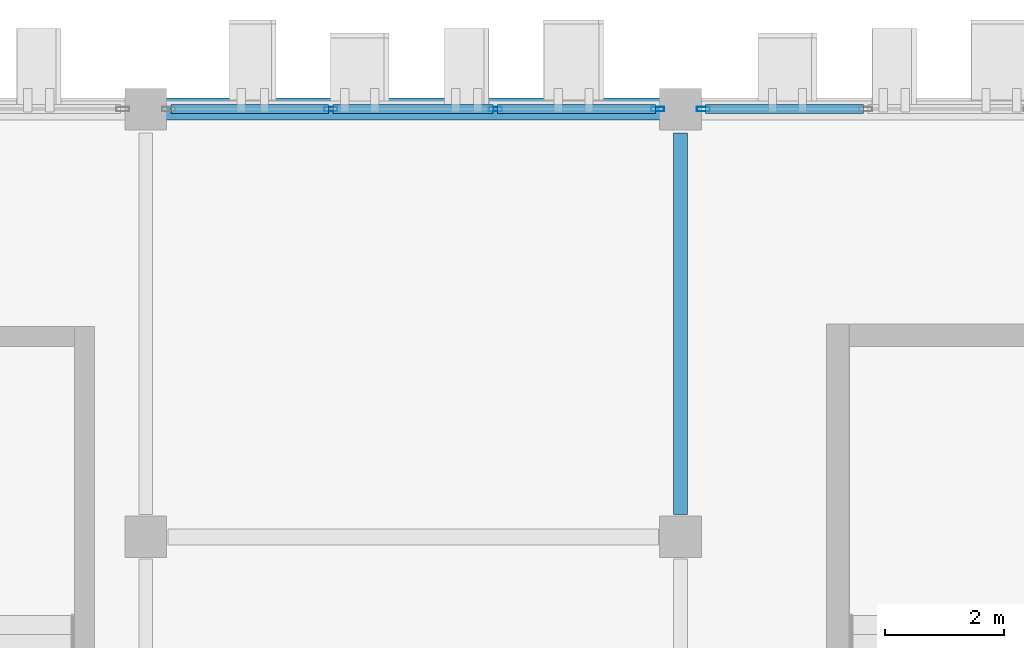
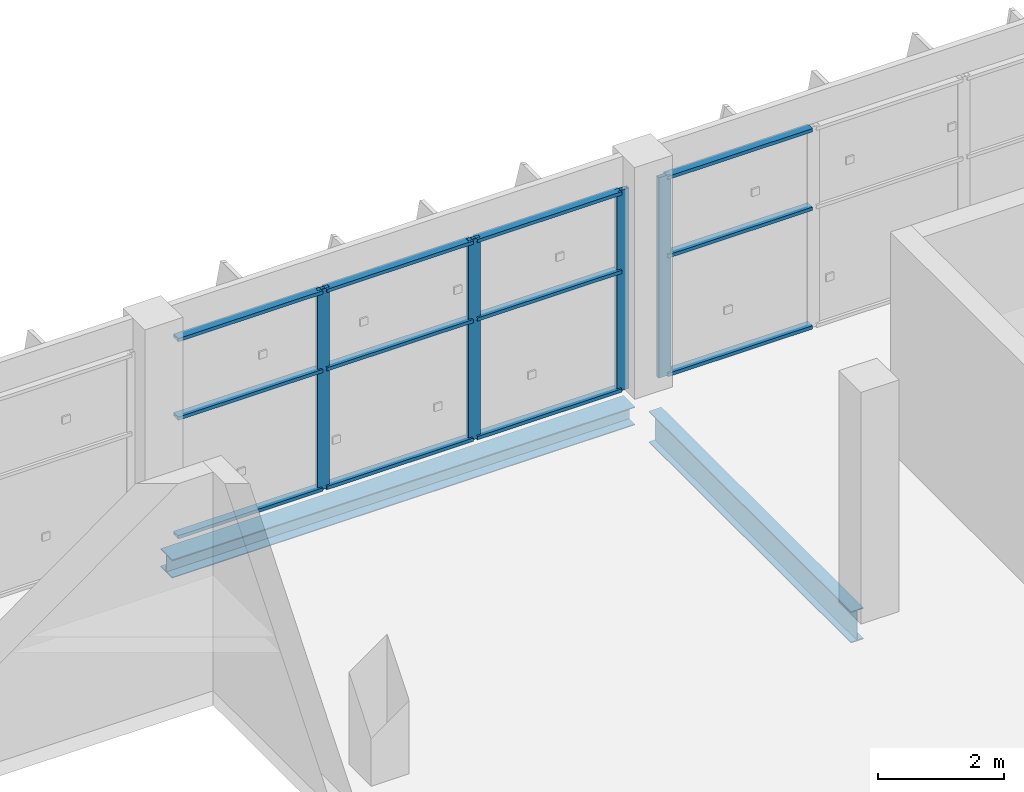
# One storey, part 77 of 151: 16 members, 2 beams, 2 elements without a shape of their own.
"""IFC4 building model written with IfcOpenShell, lengths in metres."""

from ifc_helpers import new_model, si_unit, direction, frame, origin, origin_2d, place, context, subcontext, project, spatial, hollow_rectangle, i_section, extrude, material, layer, layer_set, material_profile, profile_set, type_object, element, aggregate, save


model = new_model("IFC4")

# Units and contexts
model_context = context("Model", 3, precision=1e-05, world=origin(), true_north=direction((0.0, 1.0)))
body_context = subcontext(model_context, "Body", "Model", "MODEL_VIEW")
ifc_project = project(units=[si_unit("LENGTHUNIT", "METRE"), si_unit("AREAUNIT", "SQUARE_METRE"), si_unit("VOLUMEUNIT", "CUBIC_METRE"), si_unit("PLANEANGLEUNIT", "RADIAN"), si_unit("MASSUNIT", "GRAM", prefix="KILO")], contexts=[model_context])

# Site, building, storey
site_placement = place(None, origin())
site = spatial("IfcSite", under=ifc_project, at=site_placement, CompositionType="ELEMENT")
building_placement = place(site_placement, origin())
building = spatial("IfcBuilding", under=site, at=building_placement, Name="Celestram Park Convention Centre", CompositionType="ELEMENT")
storey_placement = place(building_placement, frame((0.0, 0.0, 10.800048828125)))
storey = spatial("IfcBuildingStorey", under=building, at=storey_placement, Name="L02", CompositionType="ELEMENT", Elevation=10.800048828125)

# Curtain wall, members
ifc_material_1 = material(Name="Anodised Aluminium Alloy 6063-T6", Category="aluminium")
ifc_layer = layer(ifc_material_1, 0.179931640625)
ifc_layer_set = layer_set([ifc_layer], Name="Anodised Aluminium Alloy 6063-T6")
curtain_wall_type = type_object("IfcCurtainWallType", Name="ARC-CW-830X389", PredefinedType="NOTDEFINED", material=ifc_layer_set)
curtain_wall_1_placement = place(storey_placement, origin())
curtain_wall_1 = element("IfcCurtainWall", 1, at=curtain_wall_1_placement, inside=storey, type_object=curtain_wall_type, Name="Unitised curtain wall CU-L02-159", PredefinedType="NOTDEFINED")
ifc_material_profile_1 = material_profile(ifc_material_1, hollow_rectangle(XDim=0.074951171875, YDim=0.219970703125, WallThickness=0.00390625, at=origin_2d()), Name="ALU75X220X4")
ifc_profile_set_1 = profile_set([ifc_material_profile_1], Name="Anodised Aluminium Alloy 6063-T6")
member_type_1 = type_object("IfcMemberType", Name="ARC-CWM-180", PredefinedType="MULLION", material=ifc_profile_set_1)
member_1_placement = place(storey_placement, frame((120.115966796875, 165.60009765625, 0.0), z_axis=(0.0, 0.0, 1.0), x_axis=(0.0, 1.0, 0.0)))
member_1 = element("IfcMember", 2, at=member_1_placement, type_object=member_type_1, Name="CW-83X38 mullion 2", PredefinedType="MULLION", context=body_context, shape_type="SweptSolid", body=[
    extrude(hollow_rectangle(XDim=0.074951171875, YDim=0.219970703125, WallThickness=0.00390625, at=origin_2d()), origin(), (0.0, 0.0, 1.0), 3.89404296875),
])
member_2_placement = place(storey_placement, frame((122.884033203125, 165.60009765625, 0.0), z_axis=(0.0, 0.0, 1.0), x_axis=(0.0, 1.0, 0.0)))
member_2 = element("IfcMember", 3, at=member_2_placement, type_object=member_type_1, Name="CW-83X38 mullion 3", PredefinedType="MULLION", context=body_context, shape_type="SweptSolid", body=[
    extrude(hollow_rectangle(XDim=0.074951171875, YDim=0.219970703125, WallThickness=0.00390625, at=origin_2d()), origin(), (0.0, 0.0, 1.0), 3.89404296875),
])
member_3_placement = place(storey_placement, frame((125.614501953125, 165.60009765625, 0.0), z_axis=(0.0, 0.0, 1.0), x_axis=(0.0, 1.0, 0.0)))
member_3 = element("IfcMember", 4, at=member_3_placement, type_object=member_type_1, Name="CW-83X38 mullion 4", PredefinedType="MULLION", context=body_context, shape_type="SweptSolid", body=[
    extrude(hollow_rectangle(XDim=0.074951171875, YDim=0.219970703125, WallThickness=0.00390625, at=origin_2d()), origin(), (0.0, 0.0, 1.0), 3.89404296875),
])

# Curtain wall, member
curtain_wall_2_placement = place(storey_placement, origin())
curtain_wall_2 = element("IfcCurtainWall", 5, at=curtain_wall_2_placement, inside=storey, type_object=curtain_wall_type, Name="Unitised curtain wall CU-L02-160", PredefinedType="NOTDEFINED")
member_4_placement = place(storey_placement, frame((126.385498046875, 165.60009765625, 0.0), z_axis=(0.0, 0.0, 1.0), x_axis=(0.0, 1.0, 0.0)))
member_4 = element("IfcMember", 6, at=member_4_placement, type_object=member_type_1, Name="CW-83X38 mullion 1", PredefinedType="MULLION", context=body_context, shape_type="SweptSolid", body=[
    extrude(hollow_rectangle(XDim=0.074951171875, YDim=0.219970703125, WallThickness=0.00390625, at=origin_2d()), origin(), (0.0, 0.0, 1.0), 3.89404296875),
])

# Member
ifc_material_profile_2 = material_profile(ifc_material_1, hollow_rectangle(XDim=0.14990234375, YDim=0.06494140625, WallThickness=0.0029296875, at=origin_2d()), Name="ALU150X65X3")
ifc_profile_set_2 = profile_set([ifc_material_profile_2], Name="Anodised Aluminium Alloy 6063-T6")
member_type_2 = type_object("IfcMemberType", Name="ARC-CWT-150", PredefinedType="USERDEFINED", material=ifc_profile_set_2)
member_5_placement = place(storey_placement, frame((117.423095703125, 165.60009765625, 0.032470703125), z_axis=(1.0, 0.0, 0.0), x_axis=(0.0, 1.0, 0.0)))
member_5 = element("IfcMember", 7, at=member_5_placement, type_object=member_type_2, Name="CW-83X38 transom 1.1", ObjectType="TRANSOM", PredefinedType="USERDEFINED", context=body_context, shape_type="SweptSolid", body=[
    extrude(hollow_rectangle(XDim=0.14990234375, YDim=0.06494140625, WallThickness=0.0029296875, at=origin_2d()), origin(), (0.0, 0.0, 1.0), 2.655517578125),
])

member_6_placement = place(storey_placement, frame((117.423095703125, 165.60009765625, 2.3359375), z_axis=(1.0, 0.0, 0.0), x_axis=(0.0, 1.0, 0.0)))
member_6 = element("IfcMember", 8, at=member_6_placement, type_object=member_type_2, Name="CW-83X38 transom 1.2", ObjectType="TRANSOM", PredefinedType="USERDEFINED", context=body_context, shape_type="SweptSolid", body=[
    extrude(hollow_rectangle(XDim=0.14990234375, YDim=0.06494140625, WallThickness=0.0029296875, at=origin_2d()), origin(), (0.0, 0.0, 1.0), 2.655517578125),
])

member_7_placement = place(storey_placement, frame((117.423095703125, 165.60009765625, 3.861572265625), z_axis=(1.0, 0.0, 0.0), x_axis=(0.0, 1.0, 0.0)))
member_7 = element("IfcMember", 9, at=member_7_placement, type_object=member_type_2, Name="CW-83X38 transom 1.3", ObjectType="TRANSOM", PredefinedType="USERDEFINED", context=body_context, shape_type="SweptSolid", body=[
    extrude(hollow_rectangle(XDim=0.14990234375, YDim=0.06494140625, WallThickness=0.0029296875, at=origin_2d()), origin(), (0.0, 0.0, 1.0), 2.655517578125),
])

member_8_placement = place(storey_placement, frame((120.153564453125, 165.60009765625, 0.032470703125), z_axis=(1.0, 0.0, 0.0), x_axis=(0.0, 1.0, 0.0)))
member_8 = element("IfcMember", 10, at=member_8_placement, type_object=member_type_2, Name="CW-83X38 transom 2.1", ObjectType="TRANSOM", PredefinedType="USERDEFINED", context=body_context, shape_type="SweptSolid", body=[
    extrude(hollow_rectangle(XDim=0.14990234375, YDim=0.06494140625, WallThickness=0.0029296875, at=origin_2d()), origin(), (0.0, 0.0, 1.0), 2.69287109375),
])

member_9_placement = place(storey_placement, frame((120.153564453125, 165.60009765625, 2.3359375), z_axis=(1.0, 0.0, 0.0), x_axis=(0.0, 1.0, 0.0)))
member_9 = element("IfcMember", 11, at=member_9_placement, type_object=member_type_2, Name="CW-83X38 transom 2.2", ObjectType="TRANSOM", PredefinedType="USERDEFINED", context=body_context, shape_type="SweptSolid", body=[
    extrude(hollow_rectangle(XDim=0.14990234375, YDim=0.06494140625, WallThickness=0.0029296875, at=origin_2d()), origin(), (0.0, 0.0, 1.0), 2.69287109375),
])

member_10_placement = place(storey_placement, frame((120.153564453125, 165.60009765625, 3.861572265625), z_axis=(1.0, 0.0, 0.0), x_axis=(0.0, 1.0, 0.0)))
member_10 = element("IfcMember", 12, at=member_10_placement, type_object=member_type_2, Name="CW-83X38 transom 2.3", ObjectType="TRANSOM", PredefinedType="USERDEFINED", context=body_context, shape_type="SweptSolid", body=[
    extrude(hollow_rectangle(XDim=0.14990234375, YDim=0.06494140625, WallThickness=0.0029296875, at=origin_2d()), origin(), (0.0, 0.0, 1.0), 2.69287109375),
])

member_11_placement = place(storey_placement, frame((122.92138671875, 165.60009765625, 0.032470703125), z_axis=(1.0, 0.0, 0.0), x_axis=(0.0, 1.0, 0.0)))
member_11 = element("IfcMember", 13, at=member_11_placement, type_object=member_type_2, Name="CW-83X38 transom 3.1", ObjectType="TRANSOM", PredefinedType="USERDEFINED", context=body_context, shape_type="SweptSolid", body=[
    extrude(hollow_rectangle(XDim=0.14990234375, YDim=0.06494140625, WallThickness=0.0029296875, at=origin_2d()), origin(), (0.0, 0.0, 1.0), 2.655517578125),
])

member_12_placement = place(storey_placement, frame((122.92138671875, 165.60009765625, 2.3359375), z_axis=(1.0, 0.0, 0.0), x_axis=(0.0, 1.0, 0.0)))
member_12 = element("IfcMember", 14, at=member_12_placement, type_object=member_type_2, Name="CW-83X38 transom 3.2", ObjectType="TRANSOM", PredefinedType="USERDEFINED", context=body_context, shape_type="SweptSolid", body=[
    extrude(hollow_rectangle(XDim=0.14990234375, YDim=0.06494140625, WallThickness=0.0029296875, at=origin_2d()), origin(), (0.0, 0.0, 1.0), 2.655517578125),
])

member_13_placement = place(storey_placement, frame((122.92138671875, 165.60009765625, 3.861572265625), z_axis=(1.0, 0.0, 0.0), x_axis=(0.0, 1.0, 0.0)))
member_13 = element("IfcMember", 15, at=member_13_placement, type_object=member_type_2, Name="CW-83X38 transom 3.3", ObjectType="TRANSOM", PredefinedType="USERDEFINED", context=body_context, shape_type="SweptSolid", body=[
    extrude(hollow_rectangle(XDim=0.14990234375, YDim=0.06494140625, WallThickness=0.0029296875, at=origin_2d()), origin(), (0.0, 0.0, 1.0), 2.655517578125),
])

aggregate(curtain_wall_1, [member_1, member_2, member_3, member_5, member_6, member_7, member_8, member_9, member_10, member_11, member_12, member_13])

member_14_placement = place(storey_placement, frame((126.423095703125, 165.60009765625, 0.032470703125), z_axis=(1.0, 0.0, 0.0), x_axis=(0.0, 1.0, 0.0)))
member_14 = element("IfcMember", 16, at=member_14_placement, type_object=member_type_2, Name="CW-83X38 transom 1.1", ObjectType="TRANSOM", PredefinedType="USERDEFINED", context=body_context, shape_type="SweptSolid", body=[
    extrude(hollow_rectangle(XDim=0.14990234375, YDim=0.06494140625, WallThickness=0.0029296875, at=origin_2d()), origin(), (0.0, 0.0, 1.0), 2.655517578125),
])

member_15_placement = place(storey_placement, frame((126.423095703125, 165.60009765625, 2.3359375), z_axis=(1.0, 0.0, 0.0), x_axis=(0.0, 1.0, 0.0)))
member_15 = element("IfcMember", 17, at=member_15_placement, type_object=member_type_2, Name="CW-83X38 transom 1.2", ObjectType="TRANSOM", PredefinedType="USERDEFINED", context=body_context, shape_type="SweptSolid", body=[
    extrude(hollow_rectangle(XDim=0.14990234375, YDim=0.06494140625, WallThickness=0.0029296875, at=origin_2d()), origin(), (0.0, 0.0, 1.0), 2.655517578125),
])

member_16_placement = place(storey_placement, frame((126.423095703125, 165.60009765625, 3.861572265625), z_axis=(1.0, 0.0, 0.0), x_axis=(0.0, 1.0, 0.0)))
member_16 = element("IfcMember", 18, at=member_16_placement, type_object=member_type_2, Name="CW-83X38 transom 1.3", ObjectType="TRANSOM", PredefinedType="USERDEFINED", context=body_context, shape_type="SweptSolid", body=[
    extrude(hollow_rectangle(XDim=0.14990234375, YDim=0.06494140625, WallThickness=0.0029296875, at=origin_2d()), origin(), (0.0, 0.0, 1.0), 2.655517578125),
])

aggregate(curtain_wall_2, [member_4, member_14, member_15, member_16])

# Beams
ifc_material_2 = material(Name="Steel ASTM A992 Grade 50", Category="steel")
ifc_material_profile_3 = material_profile(ifc_material_2, i_section(OverallWidth=0.22900390625, OverallDepth=0.612060546875, WebThickness=0.011962890625, FlangeThickness=0.01953125, at=origin_2d()), Name="W24X84")
ifc_profile_set_3 = profile_set([ifc_material_profile_3], Name="Steel ASTM A992 Grade 50")
beam_type_1 = type_object("IfcBeamType", Name="STR-BM-W24X84", PredefinedType="BEAM", material=ifc_profile_set_3)
beam_1_placement = place(storey_placement, frame((126.0, 158.77294921875, -0.5859375), z_axis=(0.0, 1.0, 0.0), x_axis=(-1.0, 0.0, 0.0)))
element("IfcBeam", 19, at=beam_1_placement, inside=storey, type_object=beam_type_1, Name="Primary Y-girder BG-L02-0192", PredefinedType="BEAM", context=body_context, shape_type="SweptSolid", body=[
    extrude(i_section(OverallWidth=0.22900390625, OverallDepth=0.612060546875, WebThickness=0.011962890625, FlangeThickness=0.01953125, at=origin_2d()), origin(), (0.0, 0.0, 1.0), 6.428955078125),
])
ifc_material_profile_4 = material_profile(ifc_material_2, i_section(OverallWidth=0.367919921875, OverallDepth=0.35595703125, WebThickness=0.01123046875, FlangeThickness=0.01806640625, at=origin_2d()), Name="W14X90")
ifc_profile_set_4 = profile_set([ifc_material_profile_4], Name="Steel ASTM A992 Grade 50")
beam_type_2 = type_object("IfcBeamType", Name="STR-SPN-W14X90", PredefinedType="SPANDREL", material=ifc_profile_set_4)
beam_2_placement = place(storey_placement, frame((117.248046875, 165.60009765625, -0.4580078125), z_axis=(1.0, 0.0, 0.0), x_axis=(0.0, 1.0, 0.0)))
element("IfcBeam", 20, at=beam_2_placement, inside=storey, type_object=beam_type_2, Name="Primary X-girder BG-L02-0155", PredefinedType="SPANDREL", context=body_context, shape_type="SweptSolid", body=[
    extrude(i_section(OverallWidth=0.367919921875, OverallDepth=0.35595703125, WebThickness=0.01123046875, FlangeThickness=0.01806640625, at=origin_2d()), origin(), (0.0, 0.0, 1.0), 8.50390625),
])

save(model, "model.ifc")
